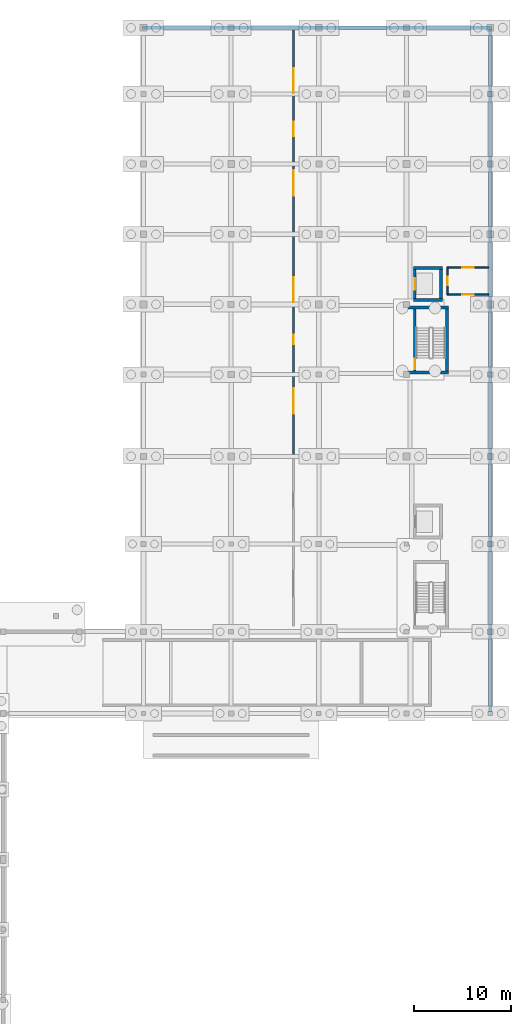
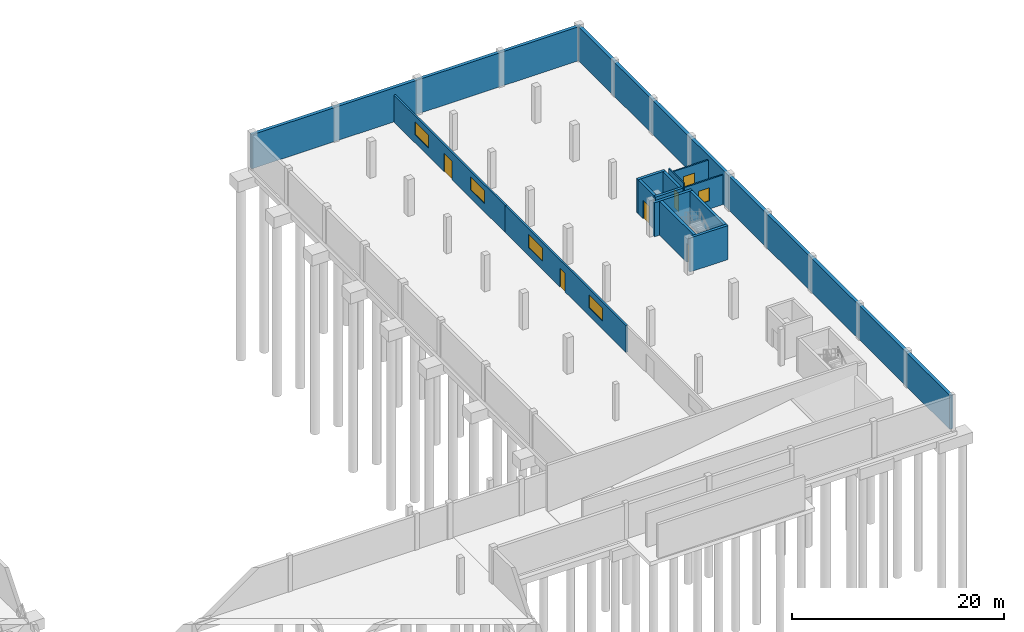
# One storey, part 29 of 34: 15 walls, 6 windows, 5 doors, 11 openings.
"""IFC4 building model written with IfcOpenShell, lengths in metres."""

import ifcopenshell
import ifcopenshell.guid

model = None  # the IFC model being written
_history = None  # IfcOwnerHistory: only IFC2X3 demands one
_inside = {}  # id of a spatial element -> (the spatial element, [elements in it])
_under = {}  # id of a project, library or spatial element -> (it, [spatial elements below it])
_declared = {}  # id of a project -> (the project, [libraries it declares])
_typed = {}  # id of a type object -> (the type object, [elements of that type])
_made_of = {}  # id of a material, layer set ... -> (it, [elements and type objects made of it])


def new_model(schema):
    """Start an empty IFC model of exactly this schema.

    Asked for "IFC4X3", IfcOpenShell would pick the latest addendum, in which some entities
    have other attributes; the version numbers below select the first issue.
    IFC2X3 requires an IfcOwnerHistory on every rooted entity: one is made here for all.
    """
    global model, _history
    if schema == "IFC4X3":
        model = ifcopenshell.file(schema_version=(4, 3, 0, 0))
    else:
        model = ifcopenshell.file(schema=schema)
    _inside.clear()
    _under.clear()
    _declared.clear()
    _typed.clear()
    _made_of.clear()
    _history = None
    if model.schema == "IFC2X3":
        org = make("IfcOrganization", Name="unknown")
        user = make(
            "IfcPersonAndOrganization",
            ThePerson=make("IfcPerson", FamilyName="unknown"),
            TheOrganization=org,
        )
        app = make(
            "IfcApplication",
            ApplicationDeveloper=org,
            Version="unknown",
            ApplicationFullName="unknown",
            ApplicationIdentifier="unknown",
        )
        _history = make(
            "IfcOwnerHistory",
            OwningUser=user,
            OwningApplication=app,
            ChangeAction="ADDED",
            CreationDate=0,
        )
    return model


def make(cls, **values):
    """One entity of the class cls with the attributes given. An attribute that is None is left unset."""
    return model.create_entity(
        cls, **{name: value for name, value in values.items() if value is not None}
    )


def rooted(cls, **values):
    """An entity with a GlobalId (a new one), such as an element, a storey or a relation."""
    return make(cls, GlobalId=ifcopenshell.guid.new(), OwnerHistory=_history, **values)


def si_unit(unit_type, name, prefix=None):
    """IfcSIUnit, for example si_unit("LENGTHUNIT", "METRE", prefix="MILLI")."""
    return make("IfcSIUnit", UnitType=unit_type, Prefix=prefix, Name=name)


def assignment(units):
    """IfcUnitAssignment: the units of a project."""
    return None if units is None else make("IfcUnitAssignment", Units=units)


def point(xyz):
    """IfcCartesianPoint."""
    return None if xyz is None else make("IfcCartesianPoint", Coordinates=xyz)


def direction(xyz):
    """IfcDirection."""
    return None if xyz is None else make("IfcDirection", DirectionRatios=xyz)


def frame(location, z_axis=None, x_axis=None):
    """IfcAxis2Placement3D, a coordinate frame: its origin and axes. An axis left out is left unset."""
    return make(
        "IfcAxis2Placement3D",
        Location=point(location),
        Axis=direction(z_axis),
        RefDirection=direction(x_axis),
    )


def frame_2d(location, x_axis=None):
    """IfcAxis2Placement2D, a coordinate frame in the plane: its origin and x axis."""
    return make(
        "IfcAxis2Placement2D", Location=point(location), RefDirection=direction(x_axis)
    )


def origin():
    """The frame at (0, 0, 0) with its axes left unset."""
    return frame((0.0, 0.0, 0.0))


def place(relative_to, where):
    """IfcLocalPlacement: puts the frame where relative to a parent placement (None: the world)."""
    return make(
        "IfcLocalPlacement", PlacementRelTo=relative_to, RelativePlacement=where
    )


def context(
    kind, dimensions, precision=None, world=None, true_north=None, identifier=None
):
    """IfcGeometricRepresentationContext, for example the 3D "Model" context."""
    return make(
        "IfcGeometricRepresentationContext",
        ContextIdentifier=identifier,
        ContextType=kind,
        CoordinateSpaceDimension=dimensions,
        Precision=precision,
        WorldCoordinateSystem=world,
        TrueNorth=true_north,
    )


def subcontext(parent, identifier, kind, view, scale=None):
    """IfcGeometricRepresentationSubContext, for example "Body" below "Model"."""
    return make(
        "IfcGeometricRepresentationSubContext",
        ContextIdentifier=identifier,
        ContextType=kind,
        ParentContext=parent,
        TargetScale=scale,
        TargetView=view,
    )


def project(units=None, contexts=None):
    """IfcProject with its units and contexts."""
    return rooted(
        "IfcProject",
        Name="project",
        RepresentationContexts=contexts,
        UnitsInContext=assignment(units),
    )


def spatial(cls, under=None, at=None, **own):
    """A site, building, storey or space (cls), placed at a placement, below another one or the project."""
    s = rooted(cls, ObjectPlacement=at, **own)
    if under is not None:
        _under.setdefault(under.id(), (under, []))[1].append(s)
    return s


def profile(cls, at=None, kind="AREA", **sizes):
    """A parametric profile (cls). Its sizes go by their IFC names, for example OverallWidth=200.0."""
    return make(cls, ProfileType=kind, Position=at, **sizes)


def rectangle(**sizes):
    """IfcRectangleProfileDef."""
    return profile("IfcRectangleProfileDef", **sizes)


def extrude(swept, where, along, depth):
    """IfcExtrudedAreaSolid: the profile swept, set in the frame where, extruded along a direction by depth."""
    return make(
        "IfcExtrudedAreaSolid",
        SweptArea=swept,
        Position=where,
        ExtrudedDirection=direction(along),
        Depth=depth,
    )


def shape(context_of_items, identifier, shape_type, items):
    """IfcShapeRepresentation: the items that make up one representation, for example the "Body"."""
    return make(
        "IfcShapeRepresentation",
        ContextOfItems=context_of_items,
        RepresentationIdentifier=identifier,
        RepresentationType=shape_type,
        Items=items,
    )


def material(Name=None, Category=None):
    """IfcMaterial."""
    return make("IfcMaterial", Name=Name, Category=Category)


def layer(
    of_material, thickness, ventilated=None, Name=None, Category=None, Priority=None
):
    """IfcMaterialLayer: one layer of a wall or slab, of a material (None: an air gap)."""
    return make(
        "IfcMaterialLayer",
        Material=of_material,
        LayerThickness=thickness,
        IsVentilated=ventilated,
        Name=Name,
        Category=Category,
        Priority=Priority,
    )


def layer_set(layers, Name=None):
    """IfcMaterialLayerSet."""
    return make("IfcMaterialLayerSet", MaterialLayers=layers, LayerSetName=Name)


def made_of(thing, what):
    """Note that an element or type object is made of a material, layer set ...; save() writes the relation."""
    if what is not None:
        _made_of.setdefault(what.id(), (what, []))[1].append(thing)
    return thing


def type_object(cls, material=None, **own):
    """A type object (cls), such as IfcWallType, which elements share."""
    return made_of(rooted(cls, **own), material)


def element(
    cls,
    number,
    at=None,
    inside=None,
    cuts=None,
    type_object=None,
    material=None,
    context=None,
    identifier="Body",
    shape_type=None,
    held_by="IfcProductDefinitionShape",
    body=None,
    shapes=None,
    **own,
):
    """One element of the class cls, such as IfcWall. Its Tag is "e" and its number.

    at: its placement. inside: the storey or other place that contains it. cuts: it is an
    opening in that element (IfcRelVoidsElement). A single representation is given by context,
    identifier, shape_type and body (its items); several are given by shapes. held_by: the class
    of the entity that holds the representations. save() writes the other relations.
    """
    e = rooted(cls, Tag="e%d" % number, ObjectPlacement=at, **own)
    if body is not None:
        shapes = [shape(context, identifier, shape_type, body)]
    if shapes is not None:
        e.Representation = make(held_by, Representations=shapes)
    if inside is not None:
        _inside.setdefault(inside.id(), (inside, []))[1].append(e)
    if cuts is not None:
        rooted(
            "IfcRelVoidsElement", RelatingBuildingElement=cuts, RelatedOpeningElement=e
        )
    if type_object is not None:
        _typed.setdefault(type_object.id(), (type_object, []))[1].append(e)
    return made_of(e, material)


def fill(opening, filler):
    """IfcRelFillsElement: the door or window that sits in an opening."""
    return rooted(
        "IfcRelFillsElement",
        RelatingOpeningElement=opening,
        RelatedBuildingElement=filler,
    )


def aggregate(whole, parts):
    """IfcRelAggregates: a whole, such as a stair, and the parts it consists of."""
    return rooted("IfcRelAggregates", RelatingObject=whole, RelatedObjects=parts)


def save(model, path):
    """Write the relations noted so far, then the file.

    IfcRelAggregates (storeys below a building ...), IfcRelContainedInSpatialStructure (elements
    in a storey), IfcRelDefinesByType, IfcRelAssociatesMaterial and IfcRelDeclares: one each for
    every whole, place, type object, material and project.
    """
    for whole, parts in _under.values():
        aggregate(whole, parts)
    for where, things in _inside.values():
        rooted(
            "IfcRelContainedInSpatialStructure",
            RelatedElements=things,
            RelatingStructure=where,
        )
    for kind, things in _typed.values():
        rooted("IfcRelDefinesByType", RelatedObjects=things, RelatingType=kind)
    for what, things in _made_of.values():
        rooted("IfcRelAssociatesMaterial", RelatedObjects=things, RelatingMaterial=what)
    for by, libraries in _declared.values():
        rooted("IfcRelDeclares", RelatingContext=by, RelatedDefinitions=libraries)
    model.write(path)


model = new_model("IFC4")

# Units and contexts
model_context = context("Model", 3, precision=1e-05, world=origin(), true_north=direction((0.0, 1.0)))
body_context = subcontext(model_context, "Body", "Model", "MODEL_VIEW")
ifc_project = project(units=[si_unit("LENGTHUNIT", "METRE"), si_unit("AREAUNIT", "SQUARE_METRE"), si_unit("VOLUMEUNIT", "CUBIC_METRE"), si_unit("PLANEANGLEUNIT", "RADIAN"), si_unit("MASSUNIT", "GRAM", prefix="KILO")], contexts=[model_context])

# Site, building, storey
site_placement = place(None, origin())
site = spatial("IfcSite", under=ifc_project, at=site_placement, CompositionType="ELEMENT")
building_placement = place(site_placement, origin())
building = spatial("IfcBuilding", under=site, at=building_placement, Name="Vinh Khe Railworks Police Headquarters", CompositionType="ELEMENT")
storey_placement = place(building_placement, frame((0.0, 0.0, -4.199951171875)))
storey = spatial("IfcBuildingStorey", under=building, at=storey_placement, Name="B1", CompositionType="ELEMENT", Elevation=-4.199951171875)

# Walls
ifc_material_1 = material(Name="Concrete C40/50 (B40)", Category="concrete")
ifc_layer_1 = layer(ifc_material_1, 0.35009765625)
ifc_layer_set_1 = layer_set([ifc_layer_1], Name="Concrete C40/50 (B40)")
wall_type_1 = type_object("IfcWallType", Name="Basement Retaining Wall 350", PredefinedType="USERDEFINED", material=ifc_layer_set_1)
wall_1_placement = place(storey_placement, frame((113.60009765625, 96.175048828125, 0.0), z_axis=(0.0, 0.0, 1.0), x_axis=(0.0, 1.0, 0.0)))
element("IfcWall", 1, at=wall_1_placement, inside=storey, type_object=wall_type_1, Name="Basement Retaining Wall 4", ObjectType="RETAININGWALL", PredefinedType="USERDEFINED", context=body_context, shape_type="SweptSolid", body=[
    extrude(rectangle(XDim=70.050048828125, YDim=0.35009765625, at=frame_2d((35.02490234375, 0.0))), origin(), (0.0, 0.0, 1.0), 3.919921875),
])
wall_2_placement = place(storey_placement, frame((113.77490234375, 166.39990234375, 0.0), z_axis=(0.0, 0.0, 1.0), x_axis=(-1.0, 0.0, 0.0)))
element("IfcWall", 2, at=wall_2_placement, inside=storey, type_object=wall_type_1, Name="Basement Retaining Wall 5", ObjectType="RETAININGWALL", PredefinedType="USERDEFINED", context=body_context, shape_type="SweptSolid", body=[
    extrude(rectangle(XDim=35.949951171875, YDim=0.35009765625, at=frame_2d((17.97509765625, 0.0))), origin(), (0.0, 0.0, 1.0), 3.919921875),
])
ifc_layer_2 = layer(ifc_material_1, 0.300048828125)
ifc_layer_set_2 = layer_set([ifc_layer_2], Name="Concrete C40/50 (B40)")
wall_type_2 = type_object("IfcWallType", Name="Core Shear Wall 300", PredefinedType="SHEAR", material=ifc_layer_set_2)
for number, where, z_axis, x_axis, name in (
    (3, (105.14990234375, 131.0, 0.0), (0.0, 0.0, 1.0), (1.0, 0.0, 0.0), "Core C3 STAIR-S Shear Wall (B1)"),
    (4, (105.14990234375, 137.699951171875, 0.0), (0.0, 0.0, 1.0), (1.0, 0.0, 0.0), "Core C3 STAIR-N Shear Wall (B1)"),
):
    element("IfcWall", number, at=place(storey_placement, frame(where, z_axis=z_axis, x_axis=x_axis)), inside=storey, type_object=wall_type_2, Name=name, PredefinedType="SHEAR", context=body_context, shape_type="SweptSolid", body=[
        extrude(rectangle(XDim=4.150146484375, YDim=0.300048828125, at=frame_2d((2.0751953125, 0.0))), origin(), (0.0, 0.0, 1.0), 3.919921875),
    ])

# Wall, opening, door
wall_3_placement = place(storey_placement, frame((105.85009765625, 131.14990234375, 0.0), z_axis=(0.0, 0.0, 1.0), x_axis=(0.0, 1.0, 0.0)))
wall_3 = element("IfcWall", 5, at=wall_3_placement, inside=storey, type_object=wall_type_2, Name="Core C3 STAIR-W Shear Wall (B1)", PredefinedType="SHEAR", context=body_context, shape_type="SweptSolid", body=[
    extrude(rectangle(XDim=6.400146484375, YDim=0.300048828125, at=frame_2d((3.2001953125, 0.0))), origin(), (0.0, 0.0, 1.0), 3.919921875),
])
opening_1_placement = place(wall_3_placement, frame((0.169921875, 0.0, 0.0)))
opening_1 = element("IfcOpeningElement", 6, at=opening_1_placement, cuts=wall_3, Name="Opening FD-01", PredefinedType="OPENING", context=body_context, shape_type="SweptSolid", body=[
    extrude(rectangle(XDim=1.10009765625, YDim=2.14990234375, at=frame_2d((0.550048828125, 1.074951171875))), frame((0.0, 0.1650390625, 0.0), z_axis=(0.0, -1.0, 0.0), x_axis=(1.0, 0.0, 0.0)), (0.0, 0.0, 1.0), 0.329833984375),
])
ifc_material_2 = material(Name="Painted galvanised steel", Category="steel")
door_type_1 = type_object("IfcDoorType", Name="FD-1100x2150", OperationType="NOTDEFINED", PredefinedType="DOOR", material=ifc_material_2)
door_1_placement = place(opening_1_placement, origin())
door_1 = element("IfcDoor", 7, at=door_1_placement, inside=storey, type_object=door_type_1, Name="Escape Stair ST-03 Fire Door B1", OperationType="SINGLE_SWING_RIGHT", OverallHeight=2.14990234375, OverallWidth=1.10009765625, PredefinedType="DOOR", context=body_context, shape_type="SweptSolid", body=[
    extrude(rectangle(XDim=1.10009765625, YDim=2.14990234375, at=frame_2d((0.550048828125, 1.074951171875))), frame((0.0, 0.02490234375, 0.0), z_axis=(0.0, -1.0, 0.0), x_axis=(1.0, 0.0, 0.0)), (0.0, 0.0, 1.0), 0.050048828125),
])
fill(opening_1, door_1)

# Walls
wall_4_placement = place(storey_placement, frame((109.14990234375, 131.14990234375, 0.0), z_axis=(0.0, 0.0, 1.0), x_axis=(0.0, 1.0, 0.0)))
element("IfcWall", 8, at=wall_4_placement, inside=storey, type_object=wall_type_2, Name="Core C3 STAIR-E Shear Wall (B1)", PredefinedType="SHEAR", context=body_context, shape_type="SweptSolid", body=[
    extrude(rectangle(XDim=6.400146484375, YDim=0.300048828125, at=frame_2d((3.2001953125, 0.0))), origin(), (0.0, 0.0, 1.0), 3.919921875),
])
for number, where, z_axis, x_axis, name in (
    (9, (105.699951171875, 138.449951171875, 0.0), (0.0, 0.0, 1.0), (1.0, 0.0, 0.0), "Core C3 PL-S Lift Shaft Wall (B1)"),
    (10, (105.699951171875, 141.75, 0.0), (0.0, 0.0, 1.0), (1.0, 0.0, 0.0), "Core C3 PL-N Lift Shaft Wall (B1)"),
):
    element("IfcWall", number, at=place(storey_placement, frame(where, z_axis=z_axis, x_axis=x_axis)), inside=storey, type_object=wall_type_2, Name=name, PredefinedType="SHEAR", context=body_context, shape_type="SweptSolid", body=[
        extrude(rectangle(XDim=3.0, YDim=0.300048828125, at=frame_2d((1.5, 0.0))), origin(), (0.0, 0.0, 1.0), 3.919921875),
    ])

# Wall, opening, door
wall_5_placement = place(storey_placement, frame((105.85009765625, 138.60009765625, 0.0), z_axis=(0.0, 0.0, 1.0), x_axis=(0.0, 1.0, 0.0)))
wall_5 = element("IfcWall", 11, at=wall_5_placement, inside=storey, type_object=wall_type_2, Name="Core C3 PL-W Lift Shaft Wall (B1)", PredefinedType="SHEAR", context=body_context, shape_type="SweptSolid", body=[
    extrude(rectangle(XDim=3.0, YDim=0.300048828125, at=frame_2d((1.5, 0.0))), origin(), (0.0, 0.0, 1.0), 3.919921875),
])
opening_2_placement = place(wall_5_placement, frame((0.925048828125, 0.0, 0.0)))
opening_2 = element("IfcOpeningElement", 12, at=opening_2_placement, cuts=wall_5, Name="Opening LD-03", PredefinedType="OPENING", context=body_context, shape_type="SweptSolid", body=[
    extrude(rectangle(XDim=1.14990234375, YDim=2.14990234375, at=frame_2d((0.574951171875, 1.074951171875))), frame((0.0, 0.1650390625, 0.0), z_axis=(0.0, -1.0, 0.0), x_axis=(1.0, 0.0, 0.0)), (0.0, 0.0, 1.0), 0.329833984375),
])
door_type_2 = type_object("IfcDoorType", Name="LD-CUST-1150", OperationType="SLIDING_TO_LEFT", PredefinedType="DOOR", material=ifc_material_2)
door_2_placement = place(opening_2_placement, origin())
door_2 = element("IfcDoor", 13, at=door_2_placement, inside=storey, type_object=door_type_2, Name="Lift Landing Door PL-03 B1", OperationType="SLIDING_TO_LEFT", OverallHeight=2.14990234375, OverallWidth=1.14990234375, PredefinedType="DOOR", context=body_context, shape_type="SweptSolid", body=[
    extrude(rectangle(XDim=1.14990234375, YDim=2.14990234375, at=frame_2d((0.574951171875, 1.074951171875))), frame((0.0, 0.02490234375, 0.0), z_axis=(0.0, -1.0, 0.0), x_axis=(1.0, 0.0, 0.0)), (0.0, 0.0, 1.0), 0.050048828125),
])
fill(opening_2, door_2)

# Wall
wall_6_placement = place(storey_placement, frame((108.550048828125, 138.60009765625, 0.0), z_axis=(0.0, 0.0, 1.0), x_axis=(0.0, 1.0, 0.0)))
element("IfcWall", 14, at=wall_6_placement, inside=storey, type_object=wall_type_2, Name="Core C3 PL-E Lift Shaft Wall (B1)", PredefinedType="SHEAR", context=body_context, shape_type="SweptSolid", body=[
    extrude(rectangle(XDim=3.0, YDim=0.300048828125, at=frame_2d((1.5, 0.0))), origin(), (0.0, 0.0, 1.0), 3.919921875),
])

# Wall, openings, door, windows
ifc_material_3 = material(Name="Autoclaved aerated concrete blockwork", Category="masonry")
ifc_layer_3 = layer(ifc_material_3, 0.199951171875)
ifc_layer_set_3 = layer_set([ifc_layer_3], Name="Autoclaved aerated concrete blockwork")
wall_type_3 = type_object("IfcWallType", Name="IW-BLK-200", PredefinedType="PARTITIONING", material=ifc_layer_set_3)
wall_7_placement = place(storey_placement, frame((93.39990234375, 122.39990234375, 0.0), z_axis=(0.0, 0.0, 1.0), x_axis=(0.0, 1.0, 0.0)))
wall_7 = element("IfcWall", 15, at=wall_7_placement, inside=storey, type_object=wall_type_3, Name="Interior Partition W-B1-EVD", PredefinedType="PARTITIONING", context=body_context, shape_type="SweptSolid", body=[
    extrude(rectangle(XDim=22.800048828125, YDim=0.199951171875, at=frame_2d((11.39990234375, 0.0))), origin(), (0.0, 0.0, 1.0), 3.114990234375),
])
opening_3_placement = place(wall_7_placement, frame((11.5, 0.0, 0.0)))
opening_3 = element("IfcOpeningElement", 16, at=opening_3_placement, cuts=wall_7, Name="Opening FD-03", PredefinedType="OPENING", context=body_context, shape_type="SweptSolid", body=[
    extrude(rectangle(XDim=1.0, YDim=2.14990234375, at=frame_2d((0.5, 1.074951171875))), frame((0.0, 0.11474609375, 0.0), z_axis=(0.0, -1.0, 0.0), x_axis=(1.0, 0.0, 0.0)), (0.0, 0.0, 1.0), 0.229736328125),
])
opening_4_placement = place(wall_7_placement, frame((4.39990234375, 0.0, 0.949951171875)))
opening_4 = element("IfcOpeningElement", 17, at=opening_4_placement, cuts=wall_7, Name="Opening WN-07", PredefinedType="OPENING", context=body_context, shape_type="SweptSolid", body=[
    extrude(rectangle(XDim=2.60009765625, YDim=1.5, at=frame_2d((1.300048828125, 0.75))), frame((0.0, 0.11474609375, 0.0), z_axis=(0.0, -1.0, 0.0), x_axis=(1.0, 0.0, 0.0)), (0.0, 0.0, 1.0), 0.229736328125),
])
opening_5_placement = place(wall_7_placement, frame((15.800048828125, 0.0, 0.949951171875)))
opening_5 = element("IfcOpeningElement", 18, at=opening_5_placement, cuts=wall_7, Name="Opening WN-07", PredefinedType="OPENING", context=body_context, shape_type="SweptSolid", body=[
    extrude(rectangle(XDim=2.60009765625, YDim=1.5, at=frame_2d((1.300048828125, 0.75))), frame((0.0, 0.11474609375, 0.0), z_axis=(0.0, -1.0, 0.0), x_axis=(1.0, 0.0, 0.0)), (0.0, 0.0, 1.0), 0.229736328125),
])
door_type_3 = type_object("IfcDoorType", Name="FD-1000x2150", OperationType="NOTDEFINED", PredefinedType="DOOR", material=ifc_material_2)
door_3_placement = place(opening_3_placement, origin())
door_3 = element("IfcDoor", 19, at=door_3_placement, inside=storey, type_object=door_type_3, Name="Forensic Evidence Vault Door", OperationType="SINGLE_SWING_RIGHT", OverallHeight=2.14990234375, OverallWidth=1.0, PredefinedType="DOOR", context=body_context, shape_type="SweptSolid", body=[
    extrude(rectangle(XDim=1.0, YDim=2.14990234375, at=frame_2d((0.5, 1.074951171875))), frame((0.0, 0.02490234375, 0.0), z_axis=(0.0, -1.0, 0.0), x_axis=(1.0, 0.0, 0.0)), (0.0, 0.0, 1.0), 0.050048828125),
])
fill(opening_3, door_3)
ifc_material_4 = material(Name="Double-glazed solar-control glass in dark steel frame", Category="steel")
window_type_1 = type_object("IfcWindowType", Name="WIN-WN-07", PartitioningType="DOUBLE_PANEL_HORIZONTAL", PredefinedType="WINDOW", material=ifc_material_4)
window_1_placement = place(opening_4_placement, origin())
window_1 = element("IfcWindow", 20, at=window_1_placement, inside=storey, type_object=window_type_1, Name="Interior Acoustic Vision Window WN-07", OverallHeight=1.5, OverallWidth=2.60009765625, PartitioningType="SINGLE_PANEL", PredefinedType="WINDOW", context=body_context, shape_type="SweptSolid", body=[
    extrude(rectangle(XDim=2.60009765625, YDim=1.5, at=frame_2d((1.300048828125, 0.75))), frame((0.0, 0.030029296875, 0.0), z_axis=(0.0, -1.0, 0.0), x_axis=(1.0, 0.0, 0.0)), (0.0, 0.0, 1.0), 0.06005859375),
])
fill(opening_4, window_1)
window_2_placement = place(opening_5_placement, origin())
window_2 = element("IfcWindow", 21, at=window_2_placement, inside=storey, type_object=window_type_1, Name="Interior Acoustic Vision Window WN-07", OverallHeight=1.5, OverallWidth=2.60009765625, PartitioningType="SINGLE_PANEL", PredefinedType="WINDOW", context=body_context, shape_type="SweptSolid", body=[
    extrude(rectangle(XDim=2.60009765625, YDim=1.5, at=frame_2d((1.300048828125, 0.75))), frame((0.0, 0.030029296875, 0.0), z_axis=(0.0, -1.0, 0.0), x_axis=(1.0, 0.0, 0.0)), (0.0, 0.0, 1.0), 0.06005859375),
])
fill(opening_5, window_2)

wall_8_placement = place(storey_placement, frame((93.39990234375, 145.199951171875, 0.0), z_axis=(0.0, 0.0, 1.0), x_axis=(0.0, 1.0, 0.0)))
wall_8 = element("IfcWall", 22, at=wall_8_placement, inside=storey, type_object=wall_type_3, Name="Interior Partition W-B1-SUB", PredefinedType="PARTITIONING", context=body_context, shape_type="SweptSolid", body=[
    extrude(rectangle(XDim=21.02001953125, YDim=0.199951171875, at=frame_2d((10.510009765625, 0.0))), origin(), (0.0, 0.0, 1.0), 3.114990234375),
])
opening_6_placement = place(wall_8_placement, frame((10.050048828125, 0.0, 0.0)))
opening_6 = element("IfcOpeningElement", 23, at=opening_6_placement, cuts=wall_8, Name="Opening FD-02", PredefinedType="OPENING", context=body_context, shape_type="SweptSolid", body=[
    extrude(rectangle(XDim=1.5, YDim=2.14990234375, at=frame_2d((0.75, 1.074951171875))), frame((0.0, 0.11474609375, 0.0), z_axis=(0.0, -1.0, 0.0), x_axis=(1.0, 0.0, 0.0)), (0.0, 0.0, 1.0), 0.229736328125),
])
opening_7_placement = place(wall_8_placement, frame((3.955078125, 0.0, 0.949951171875)))
opening_7 = element("IfcOpeningElement", 24, at=opening_7_placement, cuts=wall_8, Name="Opening WN-07", PredefinedType="OPENING", context=body_context, shape_type="SweptSolid", body=[
    extrude(rectangle(XDim=2.60009765625, YDim=1.5, at=frame_2d((1.300048828125, 0.75))), frame((0.0, 0.11474609375, 0.0), z_axis=(0.0, -1.0, 0.0), x_axis=(1.0, 0.0, 0.0)), (0.0, 0.0, 1.0), 0.229736328125),
])
opening_8_placement = place(wall_8_placement, frame((14.465087890625, 0.0, 0.949951171875)))
opening_8 = element("IfcOpeningElement", 25, at=opening_8_placement, cuts=wall_8, Name="Opening WN-07", PredefinedType="OPENING", context=body_context, shape_type="SweptSolid", body=[
    extrude(rectangle(XDim=2.60009765625, YDim=1.5, at=frame_2d((1.300048828125, 0.75))), frame((0.0, 0.11474609375, 0.0), z_axis=(0.0, -1.0, 0.0), x_axis=(1.0, 0.0, 0.0)), (0.0, 0.0, 1.0), 0.229736328125),
])
door_type_4 = type_object("IfcDoorType", Name="FD-1500x2150", OperationType="DOUBLE_DOOR_SINGLE_SWING", PredefinedType="DOOR", material=ifc_material_2)
door_4_placement = place(opening_6_placement, origin())
door_4 = element("IfcDoor", 26, at=door_4_placement, inside=storey, type_object=door_type_4, Name="Electrical Transformer Substation Door", OperationType="DOUBLE_DOOR_SINGLE_SWING", OverallHeight=2.14990234375, OverallWidth=1.5, PredefinedType="DOOR", context=body_context, shape_type="SweptSolid", body=[
    extrude(rectangle(XDim=1.5, YDim=2.14990234375, at=frame_2d((0.75, 1.074951171875))), frame((0.0, 0.02490234375, 0.0), z_axis=(0.0, -1.0, 0.0), x_axis=(1.0, 0.0, 0.0)), (0.0, 0.0, 1.0), 0.050048828125),
])
fill(opening_6, door_4)
window_3_placement = place(opening_7_placement, origin())
window_3 = element("IfcWindow", 27, at=window_3_placement, inside=storey, type_object=window_type_1, Name="Interior Acoustic Vision Window WN-07", OverallHeight=1.5, OverallWidth=2.60009765625, PartitioningType="SINGLE_PANEL", PredefinedType="WINDOW", context=body_context, shape_type="SweptSolid", body=[
    extrude(rectangle(XDim=2.60009765625, YDim=1.5, at=frame_2d((1.300048828125, 0.75))), frame((0.0, 0.030029296875, 0.0), z_axis=(0.0, -1.0, 0.0), x_axis=(1.0, 0.0, 0.0)), (0.0, 0.0, 1.0), 0.06005859375),
])
fill(opening_7, window_3)
window_4_placement = place(opening_8_placement, origin())
window_4 = element("IfcWindow", 28, at=window_4_placement, inside=storey, type_object=window_type_1, Name="Interior Acoustic Vision Window WN-07", OverallHeight=1.5, OverallWidth=2.60009765625, PartitioningType="SINGLE_PANEL", PredefinedType="WINDOW", context=body_context, shape_type="SweptSolid", body=[
    extrude(rectangle(XDim=2.60009765625, YDim=1.5, at=frame_2d((1.300048828125, 0.75))), frame((0.0, 0.030029296875, 0.0), z_axis=(0.0, -1.0, 0.0), x_axis=(1.0, 0.0, 0.0)), (0.0, 0.0, 1.0), 0.06005859375),
])
fill(opening_8, window_4)

# Wall, opening, window
ifc_material_5 = material(Name="Gypsum plasterboard on acoustic steel stud", Category="steel")
ifc_layer_4 = layer(ifc_material_5, 0.14990234375)
ifc_layer_set_4 = layer_set([ifc_layer_4], Name="Gypsum plasterboard on acoustic steel stud")
wall_type_4 = type_object("IfcWallType", Name="IW-PART-150", PredefinedType="PARTITIONING", material=ifc_layer_set_4)
wall_9_placement = place(storey_placement, frame((109.199951171875, 139.0, 0.0), z_axis=(0.0, 0.0, 1.0), x_axis=(1.0, 0.0, 0.0)))
wall_9 = element("IfcWall", 29, at=wall_9_placement, inside=storey, type_object=wall_type_4, Name="Interior Partition W-RSR-C3-S-B1", PredefinedType="PARTITIONING", context=body_context, shape_type="SweptSolid", body=[
    extrude(rectangle(XDim=4.239990234375, YDim=0.14990234375, at=frame_2d((2.1201171875, 0.0))), origin(), (0.0, 0.0, 1.0), 3.4150390625),
])
opening_9_placement = place(wall_9_placement, frame((1.52001953125, 0.0, 0.949951171875)))
opening_9 = element("IfcOpeningElement", 30, at=opening_9_placement, cuts=wall_9, Name="Opening WN-10", PredefinedType="OPENING", context=body_context, shape_type="SweptSolid", body=[
    extrude(rectangle(XDim=1.199951171875, YDim=1.5, at=frame_2d((0.60009765625, 0.75))), frame((0.0, 0.08984375, 0.0), z_axis=(0.0, -1.0, 0.0), x_axis=(1.0, 0.0, 0.0)), (0.0, 0.0, 1.0), 0.1796875),
])
window_type_2 = type_object("IfcWindowType", Name="WIN-WN-10", PartitioningType="SINGLE_PANEL", PredefinedType="WINDOW", material=ifc_material_4)
window_5_placement = place(opening_9_placement, origin())
window_5 = element("IfcWindow", 31, at=window_5_placement, inside=storey, type_object=window_type_2, Name="Interior Acoustic Vision Window WN-10", OverallHeight=1.5, OverallWidth=1.199951171875, PartitioningType="SINGLE_PANEL", PredefinedType="WINDOW", context=body_context, shape_type="SweptSolid", body=[
    extrude(rectangle(XDim=1.199951171875, YDim=1.5, at=frame_2d((0.60009765625, 0.75))), frame((0.0, 0.030029296875, 0.0), z_axis=(0.0, -1.0, 0.0), x_axis=(1.0, 0.0, 0.0)), (0.0, 0.0, 1.0), 0.06005859375),
])
fill(opening_9, window_5)

wall_10_placement = place(storey_placement, frame((109.199951171875, 141.800048828125, 0.0), z_axis=(0.0, 0.0, 1.0), x_axis=(1.0, 0.0, 0.0)))
wall_10 = element("IfcWall", 32, at=wall_10_placement, inside=storey, type_object=wall_type_4, Name="Interior Partition W-RSR-C3-N-B1", PredefinedType="PARTITIONING", context=body_context, shape_type="SweptSolid", body=[
    extrude(rectangle(XDim=4.239990234375, YDim=0.14990234375, at=frame_2d((2.1201171875, 0.0))), origin(), (0.0, 0.0, 1.0), 3.4150390625),
])
opening_10_placement = place(wall_10_placement, frame((1.52001953125, 0.0, 0.949951171875)))
opening_10 = element("IfcOpeningElement", 33, at=opening_10_placement, cuts=wall_10, Name="Opening WN-10", PredefinedType="OPENING", context=body_context, shape_type="SweptSolid", body=[
    extrude(rectangle(XDim=1.199951171875, YDim=1.5, at=frame_2d((0.60009765625, 0.75))), frame((0.0, 0.08984375, 0.0), z_axis=(0.0, -1.0, 0.0), x_axis=(1.0, 0.0, 0.0)), (0.0, 0.0, 1.0), 0.1796875),
])
window_6_placement = place(opening_10_placement, origin())
window_6 = element("IfcWindow", 34, at=window_6_placement, inside=storey, type_object=window_type_2, Name="Interior Acoustic Vision Window WN-10", OverallHeight=1.5, OverallWidth=1.199951171875, PartitioningType="SINGLE_PANEL", PredefinedType="WINDOW", context=body_context, shape_type="SweptSolid", body=[
    extrude(rectangle(XDim=1.199951171875, YDim=1.5, at=frame_2d((0.60009765625, 0.75))), frame((0.0, 0.030029296875, 0.0), z_axis=(0.0, -1.0, 0.0), x_axis=(1.0, 0.0, 0.0)), (0.0, 0.0, 1.0), 0.06005859375),
])
fill(opening_10, window_6)

# Wall, opening, door
wall_11_placement = place(storey_placement, frame((109.199951171875, 139.0, 0.0), z_axis=(0.0, 0.0, 1.0), x_axis=(0.0, 1.0, 0.0)))
wall_11 = element("IfcWall", 35, at=wall_11_placement, inside=storey, type_object=wall_type_4, Name="Interior Partition W-RSR-C3-W-B1", PredefinedType="PARTITIONING", context=body_context, shape_type="SweptSolid", body=[
    extrude(rectangle(XDim=2.800048828125, YDim=0.14990234375, at=frame_2d((1.39990234375, 0.0))), origin(), (0.0, 0.0, 1.0), 3.9150390625),
])
opening_11_placement = place(wall_11_placement, frame((0.97509765625, 0.0, 0.0)))
opening_11 = element("IfcOpeningElement", 36, at=opening_11_placement, cuts=wall_11, Name="Opening FD-04", PredefinedType="OPENING", context=body_context, shape_type="SweptSolid", body=[
    extrude(rectangle(XDim=0.85009765625, YDim=2.10009765625, at=frame_2d((0.425048828125, 1.050048828125))), frame((0.0, 0.08984375, 0.0), z_axis=(0.0, -1.0, 0.0), x_axis=(1.0, 0.0, 0.0)), (0.0, 0.0, 1.0), 0.1796875),
])
door_type_5 = type_object("IfcDoorType", Name="FD-850x2100", OperationType="NOTDEFINED", PredefinedType="DOOR", material=ifc_material_2)
door_5_placement = place(opening_11_placement, frame((0.85009765625, 0.0, 0.0), z_axis=(0.0, 0.0, 1.0), x_axis=(-1.0, 0.0, 0.0)))
door_5 = element("IfcDoor", 37, at=door_5_placement, inside=storey, type_object=door_type_5, Name="Fume Riser Access Door", OperationType="SINGLE_SWING_RIGHT", OverallHeight=2.10009765625, OverallWidth=0.85009765625, PredefinedType="DOOR", context=body_context, shape_type="SweptSolid", body=[
    extrude(rectangle(XDim=0.85009765625, YDim=2.10009765625, at=frame_2d((0.425048828125, 1.050048828125))), frame((0.0, 0.02490234375, 0.0), z_axis=(0.0, -1.0, 0.0), x_axis=(1.0, 0.0, 0.0)), (0.0, 0.0, 1.0), 0.050048828125),
])
fill(opening_11, door_5)

save(model, "model.ifc")
